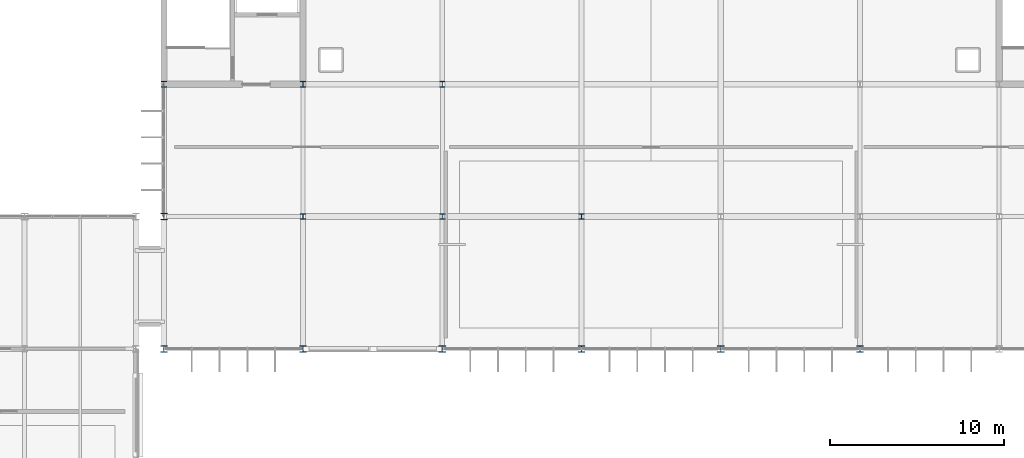
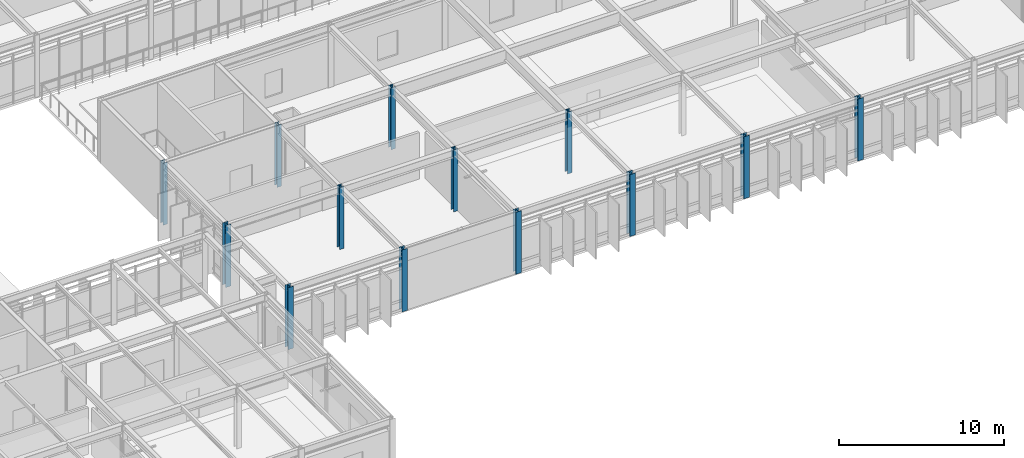
# One storey, part 7 of 100: 13 columns.
"""IFC4 building model written with IfcOpenShell, lengths in metres."""

import ifcopenshell
import ifcopenshell.guid

model = None  # the IFC model being written
_history = None  # IfcOwnerHistory: only IFC2X3 demands one
_inside = {}  # id of a spatial element -> (the spatial element, [elements in it])
_under = {}  # id of a project, library or spatial element -> (it, [spatial elements below it])
_declared = {}  # id of a project -> (the project, [libraries it declares])
_typed = {}  # id of a type object -> (the type object, [elements of that type])
_made_of = {}  # id of a material, layer set ... -> (it, [elements and type objects made of it])


def new_model(schema):
    """Start an empty IFC model of exactly this schema.

    Asked for "IFC4X3", IfcOpenShell would pick the latest addendum, in which some entities
    have other attributes; the version numbers below select the first issue.
    IFC2X3 requires an IfcOwnerHistory on every rooted entity: one is made here for all.
    """
    global model, _history
    if schema == "IFC4X3":
        model = ifcopenshell.file(schema_version=(4, 3, 0, 0))
    else:
        model = ifcopenshell.file(schema=schema)
    _inside.clear()
    _under.clear()
    _declared.clear()
    _typed.clear()
    _made_of.clear()
    _history = None
    if model.schema == "IFC2X3":
        org = make("IfcOrganization", Name="unknown")
        user = make(
            "IfcPersonAndOrganization",
            ThePerson=make("IfcPerson", FamilyName="unknown"),
            TheOrganization=org,
        )
        app = make(
            "IfcApplication",
            ApplicationDeveloper=org,
            Version="unknown",
            ApplicationFullName="unknown",
            ApplicationIdentifier="unknown",
        )
        _history = make(
            "IfcOwnerHistory",
            OwningUser=user,
            OwningApplication=app,
            ChangeAction="ADDED",
            CreationDate=0,
        )
    return model


def make(cls, **values):
    """One entity of the class cls with the attributes given. An attribute that is None is left unset."""
    return model.create_entity(
        cls, **{name: value for name, value in values.items() if value is not None}
    )


def rooted(cls, **values):
    """An entity with a GlobalId (a new one), such as an element, a storey or a relation."""
    return make(cls, GlobalId=ifcopenshell.guid.new(), OwnerHistory=_history, **values)


def si_unit(unit_type, name, prefix=None):
    """IfcSIUnit, for example si_unit("LENGTHUNIT", "METRE", prefix="MILLI")."""
    return make("IfcSIUnit", UnitType=unit_type, Prefix=prefix, Name=name)


def assignment(units):
    """IfcUnitAssignment: the units of a project."""
    return None if units is None else make("IfcUnitAssignment", Units=units)


def point(xyz):
    """IfcCartesianPoint."""
    return None if xyz is None else make("IfcCartesianPoint", Coordinates=xyz)


def direction(xyz):
    """IfcDirection."""
    return None if xyz is None else make("IfcDirection", DirectionRatios=xyz)


def frame(location, z_axis=None, x_axis=None):
    """IfcAxis2Placement3D, a coordinate frame: its origin and axes. An axis left out is left unset."""
    return make(
        "IfcAxis2Placement3D",
        Location=point(location),
        Axis=direction(z_axis),
        RefDirection=direction(x_axis),
    )


def frame_2d(location, x_axis=None):
    """IfcAxis2Placement2D, a coordinate frame in the plane: its origin and x axis."""
    return make(
        "IfcAxis2Placement2D", Location=point(location), RefDirection=direction(x_axis)
    )


def origin():
    """The frame at (0, 0, 0) with its axes left unset."""
    return frame((0.0, 0.0, 0.0))


def origin_2d():
    """The frame at (0, 0) in the plane with its x axis left unset."""
    return frame_2d((0.0, 0.0))


def place(relative_to, where):
    """IfcLocalPlacement: puts the frame where relative to a parent placement (None: the world)."""
    return make(
        "IfcLocalPlacement", PlacementRelTo=relative_to, RelativePlacement=where
    )


def context(
    kind, dimensions, precision=None, world=None, true_north=None, identifier=None
):
    """IfcGeometricRepresentationContext, for example the 3D "Model" context."""
    return make(
        "IfcGeometricRepresentationContext",
        ContextIdentifier=identifier,
        ContextType=kind,
        CoordinateSpaceDimension=dimensions,
        Precision=precision,
        WorldCoordinateSystem=world,
        TrueNorth=true_north,
    )


def subcontext(parent, identifier, kind, view, scale=None):
    """IfcGeometricRepresentationSubContext, for example "Body" below "Model"."""
    return make(
        "IfcGeometricRepresentationSubContext",
        ContextIdentifier=identifier,
        ContextType=kind,
        ParentContext=parent,
        TargetScale=scale,
        TargetView=view,
    )


def project(units=None, contexts=None):
    """IfcProject with its units and contexts."""
    return rooted(
        "IfcProject",
        Name="project",
        RepresentationContexts=contexts,
        UnitsInContext=assignment(units),
    )


def spatial(cls, under=None, at=None, **own):
    """A site, building, storey or space (cls), placed at a placement, below another one or the project."""
    s = rooted(cls, ObjectPlacement=at, **own)
    if under is not None:
        _under.setdefault(under.id(), (under, []))[1].append(s)
    return s


def profile(cls, at=None, kind="AREA", **sizes):
    """A parametric profile (cls). Its sizes go by their IFC names, for example OverallWidth=200.0."""
    return make(cls, ProfileType=kind, Position=at, **sizes)


def i_section(**sizes):
    """IfcIShapeProfileDef."""
    return profile("IfcIShapeProfileDef", **sizes)


def extrude(swept, where, along, depth):
    """IfcExtrudedAreaSolid: the profile swept, set in the frame where, extruded along a direction by depth."""
    return make(
        "IfcExtrudedAreaSolid",
        SweptArea=swept,
        Position=where,
        ExtrudedDirection=direction(along),
        Depth=depth,
    )


def shape(context_of_items, identifier, shape_type, items):
    """IfcShapeRepresentation: the items that make up one representation, for example the "Body"."""
    return make(
        "IfcShapeRepresentation",
        ContextOfItems=context_of_items,
        RepresentationIdentifier=identifier,
        RepresentationType=shape_type,
        Items=items,
    )


def material(Name=None, Category=None):
    """IfcMaterial."""
    return make("IfcMaterial", Name=Name, Category=Category)


def material_profile(
    of_material, cross_section, Name=None, Category=None, Priority=None
):
    """IfcMaterialProfile: a cross section and its material."""
    return make(
        "IfcMaterialProfile",
        Name=Name,
        Material=of_material,
        Profile=cross_section,
        Priority=Priority,
        Category=Category,
    )


def profile_set(profiles, Name=None, composite=None):
    """IfcMaterialProfileSet."""
    return make(
        "IfcMaterialProfileSet",
        Name=Name,
        MaterialProfiles=profiles,
        CompositeProfile=composite,
    )


def made_of(thing, what):
    """Note that an element or type object is made of a material, layer set ...; save() writes the relation."""
    if what is not None:
        _made_of.setdefault(what.id(), (what, []))[1].append(thing)
    return thing


def type_object(cls, material=None, **own):
    """A type object (cls), such as IfcWallType, which elements share."""
    return made_of(rooted(cls, **own), material)


def element(
    cls,
    number,
    at=None,
    inside=None,
    cuts=None,
    type_object=None,
    material=None,
    context=None,
    identifier="Body",
    shape_type=None,
    held_by="IfcProductDefinitionShape",
    body=None,
    shapes=None,
    **own,
):
    """One element of the class cls, such as IfcWall. Its Tag is "e" and its number.

    at: its placement. inside: the storey or other place that contains it. cuts: it is an
    opening in that element (IfcRelVoidsElement). A single representation is given by context,
    identifier, shape_type and body (its items); several are given by shapes. held_by: the class
    of the entity that holds the representations. save() writes the other relations.
    """
    e = rooted(cls, Tag="e%d" % number, ObjectPlacement=at, **own)
    if body is not None:
        shapes = [shape(context, identifier, shape_type, body)]
    if shapes is not None:
        e.Representation = make(held_by, Representations=shapes)
    if inside is not None:
        _inside.setdefault(inside.id(), (inside, []))[1].append(e)
    if cuts is not None:
        rooted(
            "IfcRelVoidsElement", RelatingBuildingElement=cuts, RelatedOpeningElement=e
        )
    if type_object is not None:
        _typed.setdefault(type_object.id(), (type_object, []))[1].append(e)
    return made_of(e, material)


def aggregate(whole, parts):
    """IfcRelAggregates: a whole, such as a stair, and the parts it consists of."""
    return rooted("IfcRelAggregates", RelatingObject=whole, RelatedObjects=parts)


def save(model, path):
    """Write the relations noted so far, then the file.

    IfcRelAggregates (storeys below a building ...), IfcRelContainedInSpatialStructure (elements
    in a storey), IfcRelDefinesByType, IfcRelAssociatesMaterial and IfcRelDeclares: one each for
    every whole, place, type object, material and project.
    """
    for whole, parts in _under.values():
        aggregate(whole, parts)
    for where, things in _inside.values():
        rooted(
            "IfcRelContainedInSpatialStructure",
            RelatedElements=things,
            RelatingStructure=where,
        )
    for kind, things in _typed.values():
        rooted("IfcRelDefinesByType", RelatedObjects=things, RelatingType=kind)
    for what, things in _made_of.values():
        rooted("IfcRelAssociatesMaterial", RelatedObjects=things, RelatingMaterial=what)
    for by, libraries in _declared.values():
        rooted("IfcRelDeclares", RelatingContext=by, RelatedDefinitions=libraries)
    model.write(path)


model = new_model("IFC4")

# Units and contexts
model_context = context("Model", 3, precision=1e-05, world=origin(), true_north=direction((0.0, 1.0)))
body_context = subcontext(model_context, "Body", "Model", "MODEL_VIEW")
ifc_project = project(units=[si_unit("LENGTHUNIT", "METRE"), si_unit("AREAUNIT", "SQUARE_METRE"), si_unit("VOLUMEUNIT", "CUBIC_METRE"), si_unit("PLANEANGLEUNIT", "RADIAN"), si_unit("MASSUNIT", "GRAM", prefix="KILO")], contexts=[model_context])

# Site, building, storey
site_placement = place(None, origin())
site = spatial("IfcSite", under=ifc_project, at=site_placement, CompositionType="ELEMENT")
building_placement = place(site_placement, origin())
building = spatial("IfcBuilding", under=site, at=building_placement, Name="Zulena Civic Courthouse", CompositionType="ELEMENT")
storey_placement = place(building_placement, frame((0.0, 0.0, 20.39990234375)))
storey = spatial("IfcBuildingStorey", under=building, at=storey_placement, Name="L04", CompositionType="ELEMENT", Elevation=20.39990234375)

# Columns
ifc_material = material(Name="Steel ASTM A992 Grade 50", Category="steel")
ifc_material_profile_1 = material_profile(ifc_material, i_section(OverallWidth=0.31298828125, OverallDepth=0.3330078125, WebThickness=0.01806640625, FlangeThickness=0.0283203125, FilletRadius=0.01513671875, at=origin_2d()), Name="W12X120")
ifc_profile_set_1 = profile_set([ifc_material_profile_1], Name="Steel ASTM A992 Grade 50")
column_type_1 = type_object("IfcColumnType", Name="Col_W12X120", PredefinedType="COLUMN", material=ifc_profile_set_1)
for number, where, z_axis, x_axis, name in (
    (1, (76.0, 22.800048828125, 0.0), (0.0, 0.0, 1.0), (1.0, 0.0, 0.0), "col:V4:L04:76.0:22.8"),
    (2, (84.0, 22.800048828125, 0.0), (0.0, 0.0, 1.0), (1.0, 0.0, 0.0), "col:V4:L04:84.0:22.8"),
    (3, (92.0, 22.800048828125, 0.0), (0.0, 0.0, 1.0), (1.0, 0.0, 0.0), "col:V4:L04:92.0:22.8"),
):
    element("IfcColumn", number, at=place(storey_placement, frame(where, z_axis=z_axis, x_axis=x_axis)), inside=storey, type_object=column_type_1, Name=name, PredefinedType="COLUMN", context=body_context, shape_type="SweptSolid", body=[
        extrude(i_section(OverallWidth=0.31298828125, OverallDepth=0.3330078125, WebThickness=0.01806640625, FlangeThickness=0.0283203125, FilletRadius=0.01513671875, at=origin_2d()), origin(), (0.0, 0.0, 1.0), 4.59521484375),
    ])
ifc_material_profile_2 = material_profile(ifc_material, i_section(OverallWidth=0.30908203125, OverallDepth=0.322998046875, WebThickness=0.013916015625, FlangeThickness=0.02294921875, FilletRadius=0.01513671875, at=origin_2d()), Name="W12X96")
ifc_profile_set_2 = profile_set([ifc_material_profile_2], Name="Steel ASTM A992 Grade 50")
column_type_2 = type_object("IfcColumnType", Name="Col_W12X96", PredefinedType="COLUMN", material=ifc_profile_set_2)
for number, where, z_axis, x_axis, name in (
    (4, (68.0, 30.39990234375, 0.0), (0.0, 0.0, 1.0), (1.0, 0.0, 0.0), "col:V4:L04:68.0:30.4"),
    (5, (76.0, 30.39990234375, 0.0), (0.0, 0.0, 1.0), (1.0, 0.0, 0.0), "col:V4:L04:76.0:30.4"),
    (6, (84.0, 30.39990234375, 0.0), (0.0, 0.0, 1.0), (1.0, 0.0, 0.0), "col:V4:L04:84.0:30.4"),
):
    element("IfcColumn", number, at=place(storey_placement, frame(where, z_axis=z_axis, x_axis=x_axis)), inside=storey, type_object=column_type_2, Name=name, PredefinedType="COLUMN", context=body_context, shape_type="SweptSolid", body=[
        extrude(i_section(OverallWidth=0.30908203125, OverallDepth=0.322998046875, WebThickness=0.013916015625, FlangeThickness=0.02294921875, FilletRadius=0.01513671875, at=origin_2d()), origin(), (0.0, 0.0, 1.0), 4.59521484375),
    ])
ifc_material_profile_3 = material_profile(ifc_material, i_section(OverallWidth=0.373046875, OverallDepth=0.367919921875, WebThickness=0.014892578125, FlangeThickness=0.02392578125, FilletRadius=0.01513671875, at=origin_2d()), Name="W14X120")
ifc_profile_set_3 = profile_set([ifc_material_profile_3], Name="Steel ASTM A992 Grade 50")
column_type_3 = type_object("IfcColumnType", Name="Col_W14X120", PredefinedType="COLUMN", material=ifc_profile_set_3)
for number, where, z_axis, x_axis, name in (
    (7, (68.0, 15.199951171875, 0.0), (0.0, 0.0, 1.0), (1.0, 0.0, 0.0), "col:V4:L04:68.0:15.2"),
    (8, (68.0, 22.800048828125, 0.0), (0.0, 0.0, 1.0), (1.0, 0.0, 0.0), "col:V4:L04:68.0:22.8"),
    (9, (76.0, 15.199951171875, 0.0), (0.0, 0.0, 1.0), (1.0, 0.0, 0.0), "col:V4:L04:76.0:15.2"),
):
    element("IfcColumn", number, at=place(storey_placement, frame(where, z_axis=z_axis, x_axis=x_axis)), inside=storey, type_object=column_type_3, Name=name, PredefinedType="COLUMN", context=body_context, shape_type="SweptSolid", body=[
        extrude(i_section(OverallWidth=0.373046875, OverallDepth=0.367919921875, WebThickness=0.014892578125, FlangeThickness=0.02392578125, FilletRadius=0.01513671875, at=origin_2d()), origin(), (0.0, 0.0, 1.0), 4.59521484375),
    ])
ifc_material_profile_4 = material_profile(ifc_material, i_section(OverallWidth=0.39404296875, OverallDepth=0.3759765625, WebThickness=0.017333984375, FlangeThickness=0.027587890625, FilletRadius=0.01513671875, at=origin_2d()), Name="W14X145")
ifc_profile_set_4 = profile_set([ifc_material_profile_4], Name="Steel ASTM A992 Grade 50")
column_type_4 = type_object("IfcColumnType", Name="Col_W14X145", PredefinedType="COLUMN", material=ifc_profile_set_4)
for number, where, z_axis, x_axis, name in (
    (10, (84.0, 15.199951171875, 0.0), (0.0, 0.0, 1.0), (1.0, 0.0, 0.0), "col:V4:L04:84.0:15.2"),
    (11, (92.0, 15.199951171875, 0.0), (0.0, 0.0, 1.0), (1.0, 0.0, 0.0), "col:V4:L04:92.0:15.2"),
    (12, (100.0, 15.199951171875, 0.0), (0.0, 0.0, 1.0), (1.0, 0.0, 0.0), "col:V4:L04:100.0:15.2"),
    (13, (108.0, 15.199951171875, 0.0), (0.0, 0.0, 1.0), (1.0, 0.0, 0.0), "col:V4:L04:108.0:15.2"),
):
    element("IfcColumn", number, at=place(storey_placement, frame(where, z_axis=z_axis, x_axis=x_axis)), inside=storey, type_object=column_type_4, Name=name, PredefinedType="COLUMN", context=body_context, shape_type="SweptSolid", body=[
        extrude(i_section(OverallWidth=0.39404296875, OverallDepth=0.3759765625, WebThickness=0.017333984375, FlangeThickness=0.027587890625, FilletRadius=0.01513671875, at=origin_2d()), origin(), (0.0, 0.0, 1.0), 4.59521484375),
    ])

save(model, "model.ifc")
